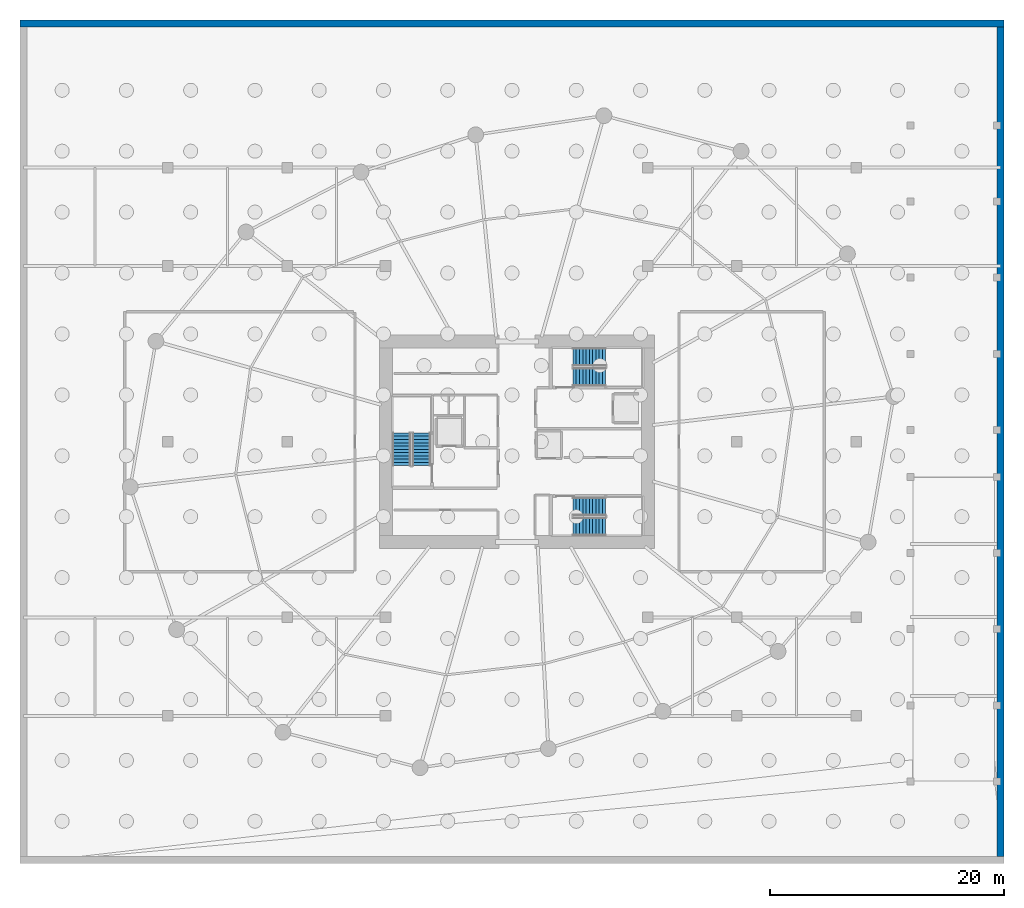
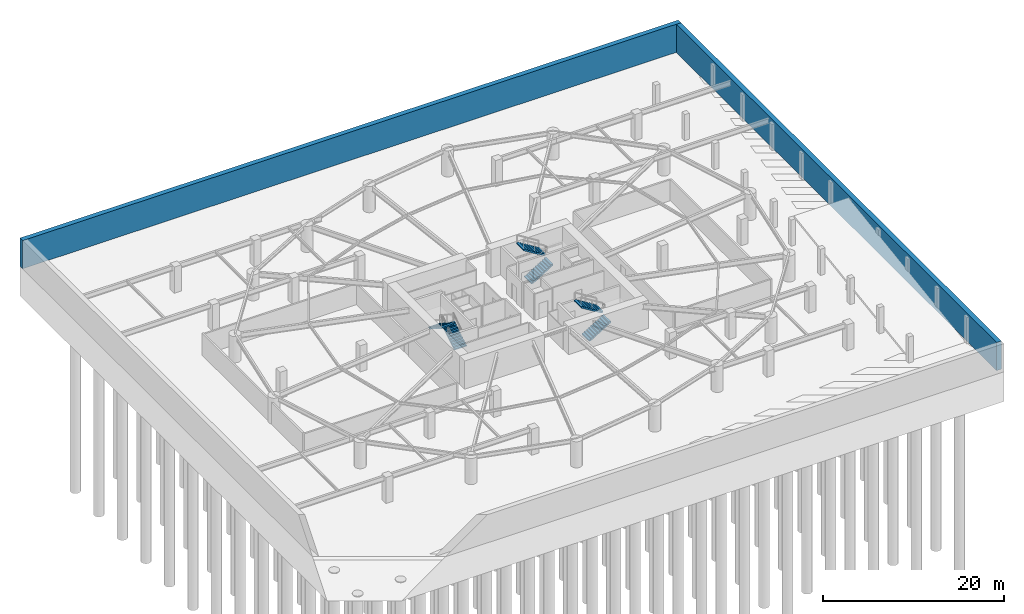
# One storey, part 10 of 12: 6 stair flights, 2 walls, 3 elements without a shape of their own.
"""IFC4 building model written with IfcOpenShell, lengths in metres."""

from ifc_helpers import new_model, si_unit, direction, frame, frame_2d, origin, place, context, subcontext, project, spatial, polyline, rectangle, outline, extrude, material, layer, layer_set, type_object, element, aggregate, save


model = new_model("IFC4")

# Units and contexts
model_context = context("Model", 3, precision=1e-05, world=origin(), true_north=direction((0.0, 1.0)))
body_context = subcontext(model_context, "Body", "Model", "MODEL_VIEW")
ifc_project = project(units=[si_unit("LENGTHUNIT", "METRE"), si_unit("AREAUNIT", "SQUARE_METRE"), si_unit("VOLUMEUNIT", "CUBIC_METRE"), si_unit("PLANEANGLEUNIT", "RADIAN"), si_unit("MASSUNIT", "GRAM", prefix="KILO")], contexts=[model_context])

# Site, building, storey
site_placement = place(None, origin())
site = spatial("IfcSite", under=ifc_project, at=site_placement, CompositionType="ELEMENT")
building_placement = place(site_placement, origin())
building = spatial("IfcBuilding", under=site, at=building_placement, Name="Kazma Halo Residences", CompositionType="ELEMENT")
storey_placement = place(building_placement, frame((0.0, 0.0, -7.60009765625)))
storey = spatial("IfcBuildingStorey", under=building, at=storey_placement, Name="B02", CompositionType="ELEMENT", Elevation=-7.60009765625)

# Walls
ifc_material = material(Name="Concrete C50/60", Category="concrete")
ifc_layer = layer(ifc_material, 0.60009765625)
ifc_layer_set = layer_set([ifc_layer], Name="Concrete C50/60")
wall_type = type_object("IfcWallType", Name="WL-RET-600", PredefinedType="USERDEFINED", material=ifc_layer_set)
wall_1_placement = place(storey_placement, frame((6.0, 77.699951171875, 0.0), z_axis=(0.0, 0.0, 1.0), x_axis=(1.0, 0.0, 0.0)))
element("IfcWall", 1, at=wall_1_placement, inside=storey, type_object=wall_type, Name="B02 N perimeter retaining wall", ObjectType="RETAININGWALL", PredefinedType="USERDEFINED", context=body_context, shape_type="SweptSolid", body=[
    extrude(rectangle(XDim=84.0, YDim=0.60009765625, at=frame_2d((42.0, 0.0))), origin(), (0.0, 0.0, 1.0), 3.800048828125),
])
wall_2_placement = place(storey_placement, frame((89.699951171875, 6.60009765625, 0.0), z_axis=(0.0, 0.0, 1.0), x_axis=(0.0, 1.0, 0.0)))
element("IfcWall", 2, at=wall_2_placement, inside=storey, type_object=wall_type, Name="B02 E perimeter retaining wall", ObjectType="RETAININGWALL", PredefinedType="USERDEFINED", context=body_context, shape_type="SweptSolid", body=[
    extrude(rectangle(XDim=70.7998046875, YDim=0.60009765625, at=frame_2d((35.39990234375, 0.0))), origin(), (0.0, 0.0, 1.0), 3.800048828125),
])

# Stair, stair flights
stair_type = type_object("IfcStairType", Name="STR-BSMT", PredefinedType="HALF_TURN_STAIR", material=ifc_material)
stair_1_placement = place(storey_placement, origin())
stair_1 = element("IfcStair", 3, at=stair_1_placement, inside=storey, type_object=stair_type, Name="B02 Core exit stair ST-01", PredefinedType="HALF_TURN_STAIR")
stair_flight_type = type_object("IfcStairFlightType", Name="STR-BSMT-FLT", PredefinedType="STRAIGHT", material=ifc_material)
stair_flight_1_placement = place(storey_placement, frame((40.27490234375, 39.949951171875, 0.0), z_axis=(0.0, 0.0, 1.0), x_axis=(0.0, 1.0, 0.0)))
stair_flight_1 = element("IfcStairFlight", 4, at=stair_flight_1_placement, type_object=stair_flight_type, Name="ST-01 flight 1", NumberOfRisers=11, NumberOfTreads=10, PredefinedType="STRAIGHT", RiserHeight=0.172727273, TreadLength=0.28, context=body_context, shape_type="SweptSolid", body=[
    extrude(outline(polyline([(0.0, 0.0), (0.0, 0.172607421875), (0.280029296875, 0.172607421875), (0.280029296875, 0.345458984375), (0.56005859375, 0.345458984375), (0.56005859375, 0.51806640625), (0.840087890625, 0.51806640625), (0.840087890625, 0.69091796875), (1.1201171875, 0.69091796875), (1.1201171875, 0.863525390625), (1.39990234375, 0.863525390625), (1.39990234375, 1.036376953125), (1.679931640625, 1.036376953125), (1.679931640625, 1.208984375), (1.9599609375, 1.208984375), (1.9599609375, 1.3818359375), (2.239990234375, 1.3818359375), (2.239990234375, 1.554443359375), (2.52001953125, 1.554443359375), (2.52001953125, 1.727294921875), (2.800048828125, 1.727294921875), (2.800048828125, 1.89990234375), (2.800048828125, 1.551025390625), (0.285400390625, 0.0), (0.0, 0.0)])), frame((0.0, 0.77490234375, 0.0), z_axis=(0.0, -1.0, 0.0), x_axis=(1.0, 0.0, 0.0)), (0.0, 0.0, 1.0), 1.550048828125),
])
stair_flight_2_placement = place(storey_placement, frame((38.574951171875, 42.75, 1.900146484375), z_axis=(0.0, 0.0, 1.0), x_axis=(0.0, -1.0, 0.0)))
stair_flight_2 = element("IfcStairFlight", 5, at=stair_flight_2_placement, type_object=stair_flight_type, Name="ST-01 flight 2", NumberOfRisers=11, NumberOfTreads=10, PredefinedType="STRAIGHT", RiserHeight=0.172727273, TreadLength=0.28, context=body_context, shape_type="SweptSolid", body=[
    extrude(outline(polyline([(0.0, 0.0), (0.0, 0.172607421875), (0.280029296875, 0.172607421875), (0.280029296875, 0.345458984375), (0.56005859375, 0.345458984375), (0.56005859375, 0.51806640625), (0.840087890625, 0.51806640625), (0.840087890625, 0.69091796875), (1.1201171875, 0.69091796875), (1.1201171875, 0.863525390625), (1.39990234375, 0.863525390625), (1.39990234375, 1.036376953125), (1.679931640625, 1.036376953125), (1.679931640625, 1.208984375), (1.9599609375, 1.208984375), (1.9599609375, 1.3818359375), (2.239990234375, 1.3818359375), (2.239990234375, 1.554443359375), (2.52001953125, 1.554443359375), (2.52001953125, 1.727294921875), (2.800048828125, 1.727294921875), (2.800048828125, 1.89990234375), (2.800048828125, 1.551025390625), (0.285400390625, 0.0), (0.0, 0.0)])), frame((0.0, 0.77490234375, 0.0), z_axis=(0.0, -1.0, 0.0), x_axis=(1.0, 0.0, 0.0)), (0.0, 0.0, 1.0), 1.550048828125),
])
aggregate(stair_1, [stair_flight_1, stair_flight_2])

stair_2_placement = place(storey_placement, origin())
stair_2 = element("IfcStair", 6, at=stair_2_placement, inside=storey, type_object=stair_type, Name="B02 Core exit stair ST-02", PredefinedType="HALF_TURN_STAIR")
stair_flight_3_placement = place(storey_placement, frame((53.199951171875, 47.52490234375, 0.0), z_axis=(0.0, 0.0, 1.0), x_axis=(1.0, 0.0, 0.0)))
stair_flight_3 = element("IfcStairFlight", 7, at=stair_flight_3_placement, type_object=stair_flight_type, Name="ST-02 flight 1", NumberOfRisers=11, NumberOfTreads=10, PredefinedType="STRAIGHT", RiserHeight=0.172727273, TreadLength=0.28, context=body_context, shape_type="SweptSolid", body=[
    extrude(outline(polyline([(0.0, 0.0), (0.0, 0.172607421875), (0.280029296875, 0.172607421875), (0.280029296875, 0.345458984375), (0.56005859375, 0.345458984375), (0.56005859375, 0.51806640625), (0.840087890625, 0.51806640625), (0.840087890625, 0.69091796875), (1.1201171875, 0.69091796875), (1.1201171875, 0.863525390625), (1.39990234375, 0.863525390625), (1.39990234375, 1.036376953125), (1.679931640625, 1.036376953125), (1.679931640625, 1.208984375), (1.9599609375, 1.208984375), (1.9599609375, 1.3818359375), (2.239990234375, 1.3818359375), (2.239990234375, 1.554443359375), (2.52001953125, 1.554443359375), (2.52001953125, 1.727294921875), (2.800048828125, 1.727294921875), (2.800048828125, 1.89990234375), (2.800048828125, 1.551025390625), (0.285400390625, 0.0), (0.0, 0.0)])), frame((0.0, 0.77490234375, 0.0), z_axis=(0.0, -1.0, 0.0), x_axis=(1.0, 0.0, 0.0)), (0.0, 0.0, 1.0), 1.550048828125),
])
stair_flight_4_placement = place(storey_placement, frame((56.0, 49.22509765625, 1.900146484375), z_axis=(0.0, 0.0, 1.0), x_axis=(-1.0, 0.0, 0.0)))
stair_flight_4 = element("IfcStairFlight", 8, at=stair_flight_4_placement, type_object=stair_flight_type, Name="ST-02 flight 2", NumberOfRisers=11, NumberOfTreads=10, PredefinedType="STRAIGHT", RiserHeight=0.172727273, TreadLength=0.28, context=body_context, shape_type="SweptSolid", body=[
    extrude(outline(polyline([(0.0, 0.0), (0.0, 0.172607421875), (0.280029296875, 0.172607421875), (0.280029296875, 0.345458984375), (0.56005859375, 0.345458984375), (0.56005859375, 0.51806640625), (0.840087890625, 0.51806640625), (0.840087890625, 0.69091796875), (1.1201171875, 0.69091796875), (1.1201171875, 0.863525390625), (1.39990234375, 0.863525390625), (1.39990234375, 1.036376953125), (1.679931640625, 1.036376953125), (1.679931640625, 1.208984375), (1.9599609375, 1.208984375), (1.9599609375, 1.3818359375), (2.239990234375, 1.3818359375), (2.239990234375, 1.554443359375), (2.52001953125, 1.554443359375), (2.52001953125, 1.727294921875), (2.800048828125, 1.727294921875), (2.800048828125, 1.89990234375), (2.800048828125, 1.551025390625), (0.285400390625, 0.0), (0.0, 0.0)])), frame((0.0, 0.77490234375, 0.0), z_axis=(0.0, -1.0, 0.0), x_axis=(1.0, 0.0, 0.0)), (0.0, 0.0, 1.0), 1.550048828125),
])
aggregate(stair_2, [stair_flight_3, stair_flight_4])

stair_3_placement = place(storey_placement, origin())
stair_3 = element("IfcStair", 9, at=stair_3_placement, inside=storey, type_object=stair_type, Name="B02 Core exit stair ST-03", PredefinedType="HALF_TURN_STAIR")
stair_flight_5_placement = place(storey_placement, frame((53.199951171875, 34.77490234375, 0.0), z_axis=(0.0, 0.0, 1.0), x_axis=(1.0, 0.0, 0.0)))
stair_flight_5 = element("IfcStairFlight", 10, at=stair_flight_5_placement, type_object=stair_flight_type, Name="ST-03 flight 1", NumberOfRisers=11, NumberOfTreads=10, PredefinedType="STRAIGHT", RiserHeight=0.172727273, TreadLength=0.28, context=body_context, shape_type="SweptSolid", body=[
    extrude(outline(polyline([(0.0, 0.0), (0.0, 0.172607421875), (0.280029296875, 0.172607421875), (0.280029296875, 0.345458984375), (0.56005859375, 0.345458984375), (0.56005859375, 0.51806640625), (0.840087890625, 0.51806640625), (0.840087890625, 0.69091796875), (1.1201171875, 0.69091796875), (1.1201171875, 0.863525390625), (1.39990234375, 0.863525390625), (1.39990234375, 1.036376953125), (1.679931640625, 1.036376953125), (1.679931640625, 1.208984375), (1.9599609375, 1.208984375), (1.9599609375, 1.3818359375), (2.239990234375, 1.3818359375), (2.239990234375, 1.554443359375), (2.52001953125, 1.554443359375), (2.52001953125, 1.727294921875), (2.800048828125, 1.727294921875), (2.800048828125, 1.89990234375), (2.800048828125, 1.551025390625), (0.285400390625, 0.0), (0.0, 0.0)])), frame((0.0, 0.77490234375, 0.0), z_axis=(0.0, -1.0, 0.0), x_axis=(1.0, 0.0, 0.0)), (0.0, 0.0, 1.0), 1.550048828125),
])
stair_flight_6_placement = place(storey_placement, frame((56.0, 36.47509765625, 1.900146484375), z_axis=(0.0, 0.0, 1.0), x_axis=(-1.0, 0.0, 0.0)))
stair_flight_6 = element("IfcStairFlight", 11, at=stair_flight_6_placement, type_object=stair_flight_type, Name="ST-03 flight 2", NumberOfRisers=11, NumberOfTreads=10, PredefinedType="STRAIGHT", RiserHeight=0.172727273, TreadLength=0.28, context=body_context, shape_type="SweptSolid", body=[
    extrude(outline(polyline([(0.0, 0.0), (0.0, 0.172607421875), (0.280029296875, 0.172607421875), (0.280029296875, 0.345458984375), (0.56005859375, 0.345458984375), (0.56005859375, 0.51806640625), (0.840087890625, 0.51806640625), (0.840087890625, 0.69091796875), (1.1201171875, 0.69091796875), (1.1201171875, 0.863525390625), (1.39990234375, 0.863525390625), (1.39990234375, 1.036376953125), (1.679931640625, 1.036376953125), (1.679931640625, 1.208984375), (1.9599609375, 1.208984375), (1.9599609375, 1.3818359375), (2.239990234375, 1.3818359375), (2.239990234375, 1.554443359375), (2.52001953125, 1.554443359375), (2.52001953125, 1.727294921875), (2.800048828125, 1.727294921875), (2.800048828125, 1.89990234375), (2.800048828125, 1.551025390625), (0.285400390625, 0.0), (0.0, 0.0)])), frame((0.0, 0.77490234375, 0.0), z_axis=(0.0, -1.0, 0.0), x_axis=(1.0, 0.0, 0.0)), (0.0, 0.0, 1.0), 1.550048828125),
])
aggregate(stair_3, [stair_flight_5, stair_flight_6])

save(model, "model.ifc")
